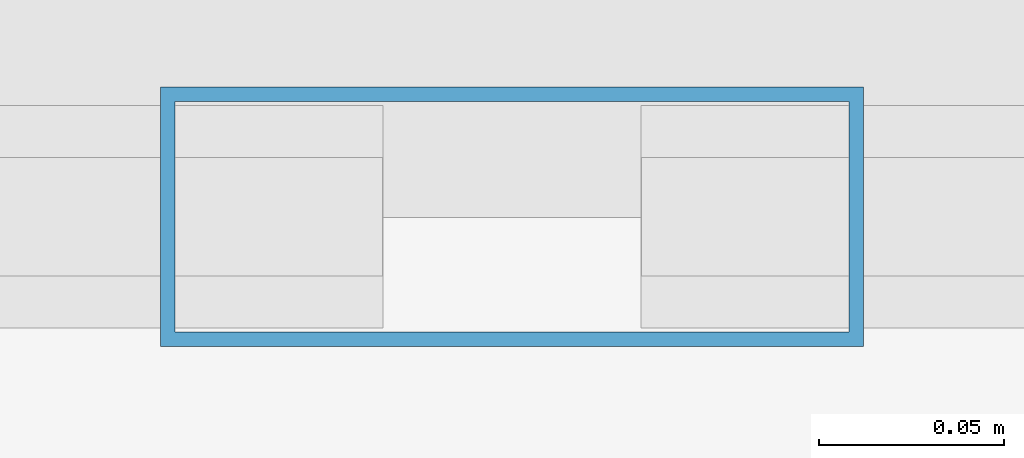
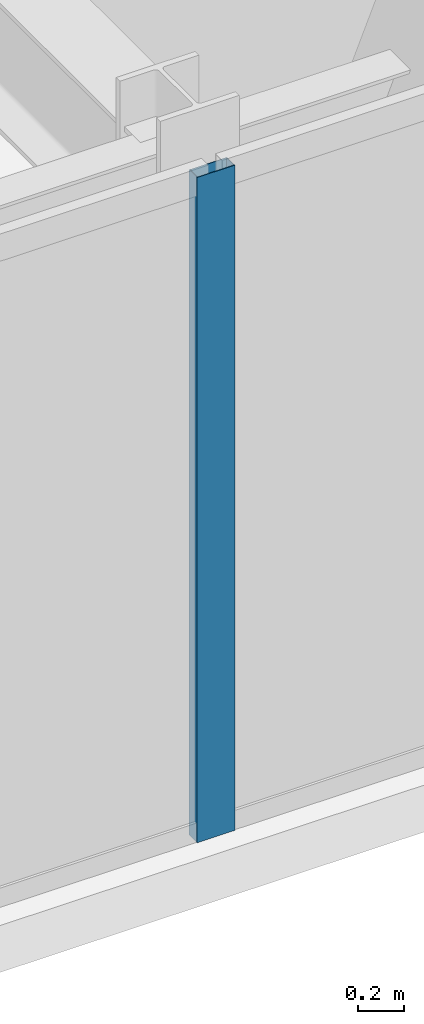
# One storey, part 8 of 38: 1 member, 1 element without a shape of its own.
"""IFC4 building model written with IfcOpenShell, lengths in metres."""

from ifc_helpers import new_model, si_unit, direction, frame, origin, origin_2d, place, context, subcontext, project, spatial, hollow_rectangle, extrude, source, transform, mapped, material, layer, layer_set, material_profile, profile_set, type_object, type_shapes, element, aggregate, save


model = new_model("IFC4")

# Units and contexts
model_context = context("Model", 3, precision=1e-05, world=origin(), true_north=direction((0.0, 1.0)))
body_context = subcontext(model_context, "Body", "Model", "MODEL_VIEW")
ifc_project = project(units=[si_unit("LENGTHUNIT", "METRE"), si_unit("AREAUNIT", "SQUARE_METRE"), si_unit("VOLUMEUNIT", "CUBIC_METRE"), si_unit("PLANEANGLEUNIT", "RADIAN"), si_unit("MASSUNIT", "GRAM", prefix="KILO")], contexts=[model_context])

# Site, building, storey
site_placement = place(None, origin())
site = spatial("IfcSite", under=ifc_project, at=site_placement, CompositionType="ELEMENT")
building_placement = place(site_placement, origin())
building = spatial("IfcBuilding", under=site, at=building_placement, Name="Varnel Quay Broadcast Tower", CompositionType="ELEMENT")
storey_placement = place(building_placement, frame((0.0, 0.0, 118.199951171875)))
storey = spatial("IfcBuildingStorey", under=building, at=storey_placement, Name="L28", CompositionType="ELEMENT", Elevation=118.199951171875)

# Curtain wall, member
ifc_material = material(Name="Anodised Bronze Aluminium 6063-T6", Category="aluminium")
ifc_layer = layer(ifc_material, 0.18994140625, Name="Anodised Bronze Aluminium 6063-T6")
ifc_layer_set = layer_set([ifc_layer], Name="Anodised Bronze Aluminium 6063-T6")
curtain_wall_type = type_object("IfcCurtainWallType", Name="CW_LowerTower", PredefinedType="NOTDEFINED", material=ifc_layer_set)
curtain_wall_placement = place(storey_placement, origin())
curtain_wall = element("IfcCurtainWall", 1, at=curtain_wall_placement, inside=storey, type_object=curtain_wall_type, Name="L28 South Unitised Curtain Wall 2", PredefinedType="NOTDEFINED")
ifc_material_profile = material_profile(ifc_material, hollow_rectangle(XDim=0.070068359375, YDim=0.18994140625, WallThickness=0.00390625, at=origin_2d()), Name="ALU70X190X4")
ifc_profile_set = profile_set([ifc_material_profile], Name="Anodised Bronze Aluminium 6063-T6")
member_type = type_object("IfcMemberType", Name="Mull_CWS-02", PredefinedType="MULLION", material=ifc_profile_set)
shared_shape = source(origin(), body_context, "Body", "SweptSolid", [
    extrude(hollow_rectangle(XDim=0.070068359375, YDim=0.18994140625, WallThickness=0.00390625, at=origin_2d()), origin(), (0.0, 0.0, 1.0), 3.550048828125),
])
type_shapes(member_type, [shared_shape])
member_placement = place(storey_placement, frame((34.0, 4.35009765625, 0.0), z_axis=(0.0, 0.0, 1.0), x_axis=(0.0, 1.0, 0.0)))
member = element("IfcMember", 2, at=member_placement, type_object=member_type, Name="CWS-02 mullion 2", PredefinedType="MULLION", context=body_context, shape_type="MappedRepresentation", body=[
    mapped(shared_shape, transform((0.0, 0.0, 0.0), x_axis=(1.0, 0.0, 0.0), y_axis=(0.0, 1.0, 0.0), z_axis=(0.0, 0.0, 1.0), scale=1.0)),
])
aggregate(curtain_wall, [member])

save(model, "model.ifc")
